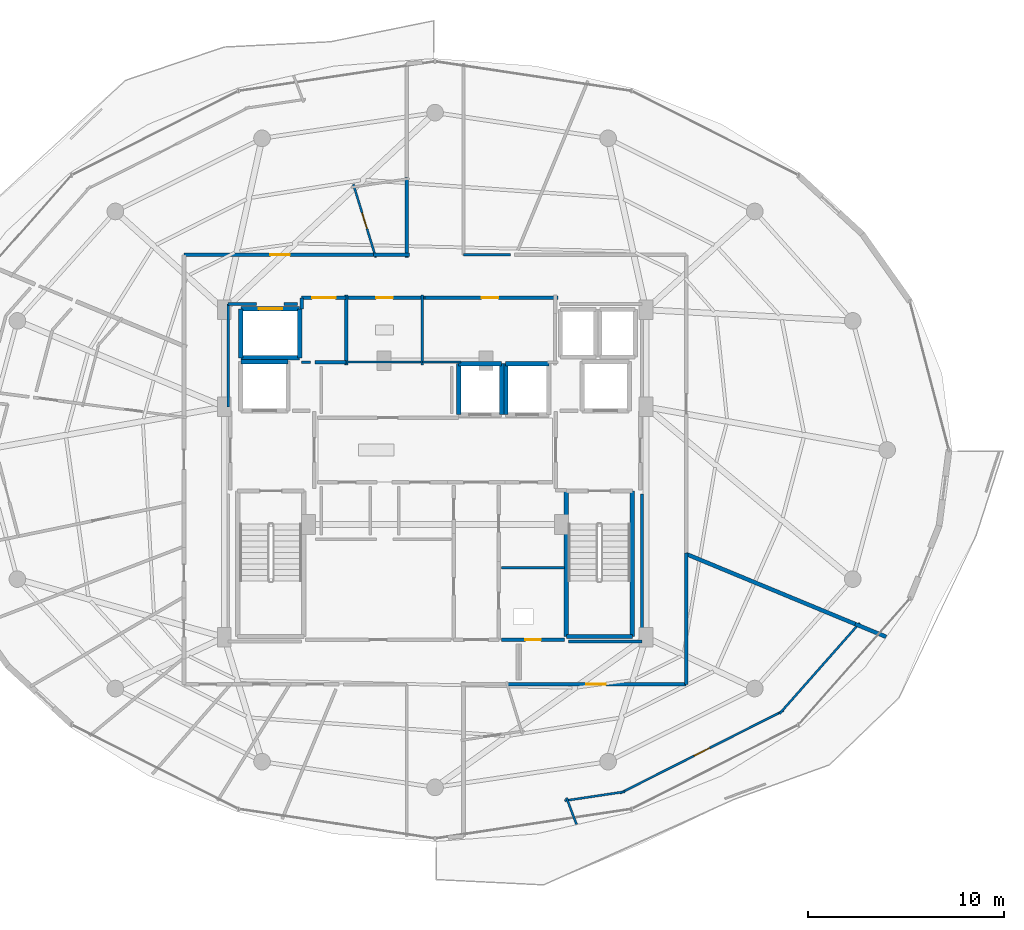
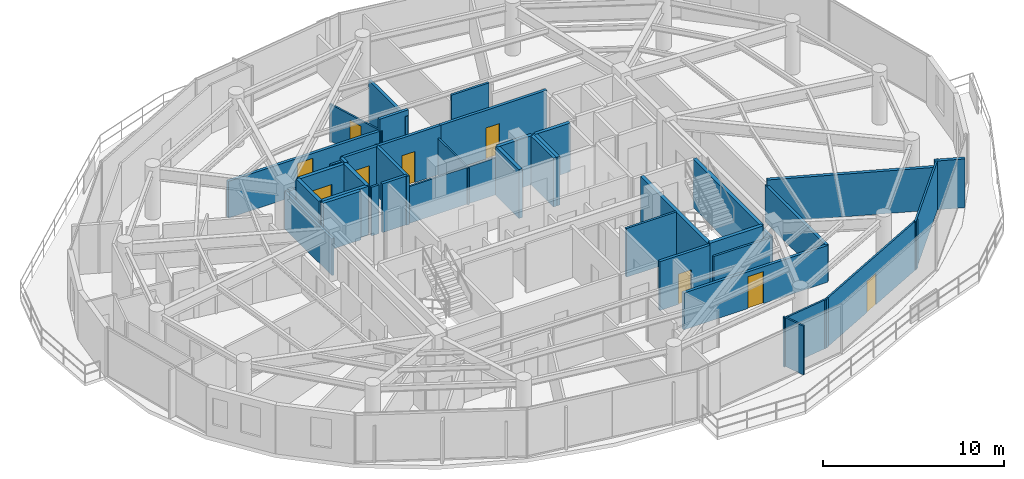
# One storey, part 24 of 30: 43 walls, 9 doors, 9 openings.
"""IFC4 building model written with IfcOpenShell, lengths in metres."""

from ifc_helpers import new_model, si_unit, direction, frame, frame_2d, origin, place, context, subcontext, project, spatial, rectangle, extrude, material, layer, layer_set, type_object, element, fill, save


model = new_model("IFC4")

# Units and contexts
model_context = context("Model", 3, precision=1e-05, world=origin(), true_north=direction((0.0, 1.0)))
body_context = subcontext(model_context, "Body", "Model", "MODEL_VIEW")
ifc_project = project(units=[si_unit("LENGTHUNIT", "METRE"), si_unit("AREAUNIT", "SQUARE_METRE"), si_unit("VOLUMEUNIT", "CUBIC_METRE"), si_unit("PLANEANGLEUNIT", "RADIAN"), si_unit("MASSUNIT", "GRAM", prefix="KILO")], contexts=[model_context])

# Site, building, storey
site_placement = place(None, origin())
site = spatial("IfcSite", under=ifc_project, at=site_placement, CompositionType="ELEMENT")
building_placement = place(site_placement, origin())
building = spatial("IfcBuilding", under=site, at=building_placement, Name="Vorneva Point Tower", CompositionType="ELEMENT")
storey_placement = place(building_placement, frame((0.0, 0.0, 237.800048828125)))
storey = spatial("IfcBuildingStorey", under=building, at=storey_placement, Name="L64", CompositionType="ELEMENT", Elevation=237.800048828125)

# Walls
ifc_material_1 = material(Name="Concrete B60 (C50/60)", Category="concrete")
ifc_layer_1 = layer(ifc_material_1, 0.35009765625)
ifc_layer_set_1 = layer_set([ifc_layer_1], Name="Concrete B60 (C50/60)")
wall_type_1 = type_object("IfcWallType", Name="WL-CORE-350", PredefinedType="SHEAR", material=ifc_layer_set_1)
wall_1_placement = place(storey_placement, frame((30.5, 30.5, 0.0), z_axis=(0.0, 0.0, 1.0), x_axis=(-1.0, 0.0, 0.0)))
element("IfcWall", 1, at=wall_1_placement, inside=storey, type_object=wall_type_1, Name="L64 Lift FFL1 Shaft Wall +Y", PredefinedType="SHEAR", context=body_context, shape_type="SweptSolid", body=[
    extrude(rectangle(XDim=2.39990234375, YDim=0.219970703125, at=frame_2d((1.199951171875, 0.0))), origin(), (0.0, 0.0, 1.0), 3.2900390625),
])
ifc_material_2 = material(Name="Fire-rated acoustic gypsum stud partition", Category="gypsum")
ifc_layer_2 = layer(ifc_material_2, 0.110107421875)
ifc_layer_set_2 = layer_set([ifc_layer_2], Name="Fire-rated acoustic gypsum stud partition")
wall_type_2 = type_object("IfcWallType", Name="WL-PART-110", PredefinedType="PARTITIONING", material=ifc_layer_set_2)
wall_2_placement = place(storey_placement, frame((37.35009765625, 30.340087890625, 0.0), z_axis=(0.0, 0.0, 1.0), x_axis=(0.0, 1.0, 0.0)))
element("IfcWall", 2, at=wall_2_placement, inside=storey, type_object=wall_type_2, Name="L64 Interior Partition 022", PredefinedType="PARTITIONING", context=body_context, shape_type="SweptSolid", body=[
    extrude(rectangle(XDim=3.559814453125, YDim=0.110107421875, at=frame_2d((1.77978515625, 0.0))), origin(), (0.0, 0.0, 1.0), 2.48193359375),
])
wall_3_placement = place(storey_placement, frame((33.360107421875, 30.47998046875, 0.0), z_axis=(0.0, 0.0, 1.0), x_axis=(1.0, 0.0, 0.0)))
element("IfcWall", 3, at=wall_3_placement, inside=storey, type_object=wall_type_2, Name="L64 Interior Partition 023", PredefinedType="PARTITIONING", context=body_context, shape_type="SweptSolid", body=[
    extrude(rectangle(XDim=4.114990234375, YDim=0.110107421875, at=frame_2d((2.0576171875, 0.0))), origin(), (0.0, 0.0, 1.0), 2.48193359375),
])
wall_4_placement = place(storey_placement, frame((37.364990234375, 30.47998046875, 0.0), z_axis=(0.0, 0.0, 1.0), x_axis=(1.0, 0.0, 0.0)))
element("IfcWall", 4, at=wall_4_placement, inside=storey, type_object=wall_type_2, Name="L64 Interior Partition 025", PredefinedType="PARTITIONING", context=body_context, shape_type="SweptSolid", body=[
    extrude(rectangle(XDim=1.955078125, YDim=0.110107421875, at=frame_2d((0.9775390625, 0.0))), origin(), (0.0, 0.0, 1.0), 2.48193359375),
])

# Wall, opening, door
wall_5_placement = place(storey_placement, frame((34.980224609375, 35.816162109375, 0.0), z_axis=(0.0, 0.0, 1.0), x_axis=(-0.29406827714, 0.955784415221, 0.0)))
wall_5 = element("IfcWall", 5, at=wall_5_placement, inside=storey, type_object=wall_type_2, Name="L64 Interior Partition 054", PredefinedType="PARTITIONING", context=body_context, shape_type="SweptSolid", body=[
    extrude(rectangle(XDim=3.9052734375, YDim=0.110107421875, at=frame_2d((1.95263671875, 0.0))), origin(), (0.0, 0.0, 1.0), 2.48193359375),
])
opening_1_placement = place(wall_5_placement, frame((1.527587890625, 0.0, 0.0)))
opening_1 = element("IfcOpeningElement", 6, at=opening_1_placement, cuts=wall_5, Name="Opening ID-02", PredefinedType="OPENING", context=body_context, shape_type="SweptSolid", body=[
    extrude(rectangle(XDim=0.85009765625, YDim=2.10009765625, at=frame_2d((0.425048828125, 1.050048828125))), frame((0.0, 0.06982421875, 0.0), z_axis=(0.0, -1.0, 0.0), x_axis=(1.0, 0.0, 0.0)), (0.0, 0.0, 1.0), 0.139892578125),
])
ifc_material_3 = material(Name="Engineered oak fire-rated door leaf", Category="wood")
door_type_1 = type_object("IfcDoorType", Name="DR-BATH-850", OperationType="NOTDEFINED", PredefinedType="DOOR", material=ifc_material_3)
door_1_placement = place(opening_1_placement, origin())
door_1 = element("IfcDoor", 7, at=door_1_placement, inside=storey, type_object=door_type_1, Name="L64 Door Studio Apartment L64-01 / Bathroom L64-01", OperationType="SINGLE_SWING_RIGHT", OverallHeight=2.10009765625, OverallWidth=0.85009765625, PredefinedType="DOOR", context=body_context, shape_type="SweptSolid", body=[
    extrude(rectangle(XDim=0.85009765625, YDim=2.10009765625, at=frame_2d((0.425048828125, 1.050048828125))), frame((0.0, 0.02490234375, 0.0), z_axis=(0.0, -1.0, 0.0), x_axis=(1.0, 0.0, 0.0)), (0.0, 0.0, 1.0), 0.050048828125),
])
fill(opening_1, door_1)

# Wall
wall_6_placement = place(storey_placement, frame((44.610595703125, 8.1181640625, 0.0), z_axis=(0.0, 0.0, 1.0), x_axis=(0.988858596585, 0.148857905265, 0.0)))
element("IfcWall", 8, at=wall_6_placement, inside=storey, type_object=wall_type_2, Name="L64 Interior Partition 085", PredefinedType="PARTITIONING", context=body_context, shape_type="SweptSolid", body=[
    extrude(rectangle(XDim=3.114501953125, YDim=0.110107421875, at=frame_2d((1.55712890625, 0.0))), origin(), (0.0, 0.0, 1.0), 3.2900390625),
])

# Wall, opening, door
wall_7_placement = place(storey_placement, frame((47.427001953125, 8.497802734375, 0.0), z_axis=(0.0, 0.0, 1.0), x_axis=(0.892502876412, 0.451041700507, 0.0)))
wall_7 = element("IfcWall", 9, at=wall_7_placement, inside=storey, type_object=wall_type_2, Name="L64 Interior Partition 086", PredefinedType="PARTITIONING", context=body_context, shape_type="SweptSolid", body=[
    extrude(rectangle(XDim=9.352294921875, YDim=0.110107421875, at=frame_2d((4.67626953125, 0.0))), origin(), (0.0, 0.0, 1.0), 3.2900390625),
])
opening_2_placement = place(wall_7_placement, frame((4.226318359375, 0.0, 0.0)))
opening_2 = element("IfcOpeningElement", 10, at=opening_2_placement, cuts=wall_7, Name="Opening ID-01", PredefinedType="OPENING", context=body_context, shape_type="SweptSolid", body=[
    extrude(rectangle(XDim=0.89990234375, YDim=2.10009765625, at=frame_2d((0.449951171875, 1.050048828125))), frame((0.0, 0.06982421875, 0.0), z_axis=(0.0, -1.0, 0.0), x_axis=(1.0, 0.0, 0.0)), (0.0, 0.0, 1.0), 0.139892578125),
])
door_type_2 = type_object("IfcDoorType", Name="DR-ROOM-900", OperationType="NOTDEFINED", PredefinedType="DOOR", material=ifc_material_3)
door_2_placement = place(opening_2_placement, origin())
door_2 = element("IfcDoor", 11, at=door_2_placement, inside=storey, type_object=door_type_2, Name="L64 Door Studio Apartment L64-03 / Kitchen L64-03", OperationType="SINGLE_SWING_RIGHT", OverallHeight=2.10009765625, OverallWidth=0.89990234375, PredefinedType="DOOR", context=body_context, shape_type="SweptSolid", body=[
    extrude(rectangle(XDim=0.89990234375, YDim=2.10009765625, at=frame_2d((0.449951171875, 1.050048828125))), frame((0.0, 0.02490234375, 0.0), z_axis=(0.0, -1.0, 0.0), x_axis=(1.0, 0.0, 0.0)), (0.0, 0.0, 1.0), 0.050048828125),
])
fill(opening_2, door_2)

# Walls
wall_8_placement = place(storey_placement, frame((55.556396484375, 12.548095703125, 0.0), z_axis=(0.0, 0.0, 1.0), x_axis=(0.662167862663, 0.749355537549, 0.0)))
element("IfcWall", 12, at=wall_8_placement, inside=storey, type_object=wall_type_2, Name="L64 Interior Partition 087", PredefinedType="PARTITIONING", context=body_context, shape_type="SweptSolid", body=[
    extrude(rectangle(XDim=6.17724609375, YDim=0.110107421875, at=frame_2d((3.088623046875, 0.0))), origin(), (0.0, 0.0, 1.0), 3.2900390625),
])
wall_9_placement = place(storey_placement, frame((45.21337890625, 6.9111328125, 0.0), z_axis=(0.0, 0.0, 1.0), x_axis=(-0.353737146492, 0.935344872863, 0.0)))
element("IfcWall", 13, at=wall_9_placement, inside=storey, type_object=wall_type_2, Name="L64 Interior Partition 088", PredefinedType="PARTITIONING", context=body_context, shape_type="SweptSolid", body=[
    extrude(rectangle(XDim=1.452880859375, YDim=0.110107421875, at=frame_2d((0.7265625, 0.0))), origin(), (0.0, 0.0, 1.0), 3.2900390625),
])
ifc_layer_3 = layer(ifc_material_2, 0.139892578125)
ifc_layer_set_3 = layer_set([ifc_layer_3], Name="Fire-rated acoustic gypsum stud partition")
wall_type_3 = type_object("IfcWallType", Name="WL-PART-140", PredefinedType="PARTITIONING", material=ifc_layer_set_3)
wall_10_placement = place(storey_placement, frame((44.60009765625, 20.0, 0.0), z_axis=(0.0, 0.0, 1.0), x_axis=(-1.0, 0.0, 0.0)))
element("IfcWall", 14, at=wall_10_placement, inside=storey, type_object=wall_type_3, Name="L64 Interior Partition 020", PredefinedType="PARTITIONING", context=body_context, shape_type="SweptSolid", body=[
    extrude(rectangle(XDim=3.2001953125, YDim=0.139892578125, at=frame_2d((1.60009765625, 0.0))), origin(), (0.0, 0.0, 1.0), 3.2900390625),
])
wall_11_placement = place(storey_placement, frame((31.199951171875, 30.47998046875, 0.0), z_axis=(0.0, 0.0, 1.0), x_axis=(1.0, 0.0, 0.0)))
element("IfcWall", 15, at=wall_11_placement, inside=storey, type_object=wall_type_3, Name="L64 Interior Closure Partition 093", PredefinedType="PARTITIONING", context=body_context, shape_type="SweptSolid", body=[
    extrude(rectangle(XDim=0.449951171875, YDim=0.139892578125, at=frame_2d((0.22509765625, 0.0))), origin(), (0.0, 0.0, 1.0), 3.2900390625),
])
wall_12_placement = place(storey_placement, frame((41.841064453125, 35.949951171875, 0.0), z_axis=(0.0, 0.0, 1.0), x_axis=(-1.0, 0.0, 0.0)))
element("IfcWall", 16, at=wall_12_placement, inside=storey, type_object=wall_type_3, Name="L64 Interior Closure Partition 103", PredefinedType="PARTITIONING", context=body_context, shape_type="SweptSolid", body=[
    extrude(rectangle(XDim=2.39111328125, YDim=0.139892578125, at=frame_2d((1.195556640625, 0.0))), origin(), (0.0, 0.0, 1.0), 3.2900390625),
])
wall_13_placement = place(storey_placement, frame((44.804931640625, 16.239990234375, 0.0), z_axis=(0.0, 0.0, 1.0), x_axis=(1.0, 0.0, 0.0)))
element("IfcWall", 17, at=wall_13_placement, inside=storey, type_object=wall_type_3, Name="L64 Interior Closure Partition 106", PredefinedType="PARTITIONING", context=body_context, shape_type="SweptSolid", body=[
    extrude(rectangle(XDim=3.7451171875, YDim=0.139892578125, at=frame_2d((1.87255859375, 0.0))), origin(), (0.0, 0.0, 1.0), 2.48193359375),
])
wall_14_placement = place(storey_placement, frame((48.550048828125, 16.239990234375, 0.0), z_axis=(0.0, 0.0, 1.0), x_axis=(0.0, 1.0, 0.0)))
element("IfcWall", 18, at=wall_14_placement, inside=storey, type_object=wall_type_3, Name="L64 Interior Closure Partition 107", PredefinedType="PARTITIONING", context=body_context, shape_type="SweptSolid", body=[
    extrude(rectangle(XDim=7.513916015625, YDim=0.139892578125, at=frame_2d((3.7568359375, 0.0))), origin(), (0.0, 0.0, 1.0), 2.48193359375),
])
wall_15_placement = place(storey_placement, frame((30.97998046875, 33.449951171875, 0.0), z_axis=(0.0, 0.0, 1.0), x_axis=(-1.0, 0.0, 0.0)))
element("IfcWall", 19, at=wall_15_placement, inside=storey, type_object=wall_type_3, Name="L64 Interior Closure Partition 110", PredefinedType="PARTITIONING", context=body_context, shape_type="SweptSolid", body=[
    extrude(rectangle(XDim=0.674072265625, YDim=0.139892578125, at=frame_2d((0.3369140625, 0.0))), origin(), (0.0, 0.0, 1.0), 3.2900390625),
])
wall_16_placement = place(storey_placement, frame((28.89404296875, 33.449951171875, 0.0), z_axis=(0.0, 0.0, 1.0), x_axis=(-1.0, 0.0, 0.0)))
element("IfcWall", 20, at=wall_16_placement, inside=storey, type_object=wall_type_3, Name="L64 Interior Closure Partition 111", PredefinedType="PARTITIONING", context=body_context, shape_type="SweptSolid", body=[
    extrude(rectangle(XDim=1.444091796875, YDim=0.139892578125, at=frame_2d((0.72216796875, 0.0))), origin(), (0.0, 0.0, 1.0), 2.48193359375),
])
wall_17_placement = place(storey_placement, frame((27.449951171875, 33.449951171875, 0.0), z_axis=(0.0, 0.0, 1.0), x_axis=(0.0, -1.0, 0.0)))
element("IfcWall", 21, at=wall_17_placement, inside=storey, type_object=wall_type_3, Name="L64 Interior Closure Partition 112", PredefinedType="PARTITIONING", context=body_context, shape_type="SweptSolid", body=[
    extrude(rectangle(XDim=5.25390625, YDim=0.139892578125, at=frame_2d((2.626953125, 0.0))), origin(), (0.0, 0.0, 1.0), 2.48193359375),
])
ifc_material_4 = material(Name="Autoclaved aerated concrete blockwork", Category="masonry")
ifc_layer_4 = layer(ifc_material_4, 0.179931640625)
ifc_layer_set_4 = layer_set([ifc_layer_4], Name="Autoclaved aerated concrete blockwork")
wall_type_4 = type_object("IfcWallType", Name="WL-PART-180", PredefinedType="PARTITIONING", material=ifc_layer_set_4)
wall_18_placement = place(storey_placement, frame((33.469970703125, 30.340087890625, 0.0), z_axis=(0.0, 0.0, 1.0), x_axis=(0.0, 1.0, 0.0)))
element("IfcWall", 22, at=wall_18_placement, inside=storey, type_object=wall_type_4, Name="L64 Interior Partition 006", PredefinedType="PARTITIONING", context=body_context, shape_type="SweptSolid", body=[
    extrude(rectangle(XDim=3.559814453125, YDim=0.179931640625, at=frame_2d((1.77978515625, 0.0))), origin(), (0.0, 0.0, 1.0), 3.2900390625),
])
wall_19_placement = place(storey_placement, frame((31.8701171875, 30.47998046875, 0.0), z_axis=(0.0, 0.0, 1.0), x_axis=(1.0, 0.0, 0.0)))
element("IfcWall", 23, at=wall_19_placement, inside=storey, type_object=wall_type_4, Name="L64 Interior Partition 007", PredefinedType="PARTITIONING", context=body_context, shape_type="SweptSolid", body=[
    extrude(rectangle(XDim=1.599853515625, YDim=0.179931640625, at=frame_2d((0.7998046875, 0.0))), origin(), (0.0, 0.0, 1.0), 3.2900390625),
])

# Wall, opening, door
wall_20_placement = place(storey_placement, frame((33.469970703125, 33.760009765625, 0.0), z_axis=(0.0, 0.0, 1.0), x_axis=(-1.0, 0.0, 0.0)))
wall_20 = element("IfcWall", 24, at=wall_20_placement, inside=storey, type_object=wall_type_4, Name="L64 Interior Partition 008", PredefinedType="PARTITIONING", context=body_context, shape_type="SweptSolid", body=[
    extrude(rectangle(XDim=2.27001953125, YDim=0.179931640625, at=frame_2d((1.135009765625, 0.0))), origin(), (0.0, 0.0, 1.0), 3.2900390625),
])
opening_3_placement = place(wall_20_placement, frame((0.534912109375, 0.0, 0.0)))
opening_3 = element("IfcOpeningElement", 25, at=opening_3_placement, cuts=wall_20, Name="Opening FD-02", PredefinedType="OPENING", context=body_context, shape_type="SweptSolid", body=[
    extrude(rectangle(XDim=1.199951171875, YDim=2.14990234375, at=frame_2d((0.60009765625, 1.074951171875))), frame((0.0, 0.10498046875, 0.0), z_axis=(0.0, -1.0, 0.0), x_axis=(1.0, 0.0, 0.0)), (0.0, 0.0, 1.0), 0.209716796875),
])
ifc_material_5 = material(Name="Fire-rated powder-coated steel", Category="steel")
door_type_3 = type_object("IfcDoorType", Name="DR-FFL-1200", OperationType="NOTDEFINED", PredefinedType="DOOR", material=ifc_material_5)
door_3_placement = place(opening_3_placement, origin())
door_3 = element("IfcDoor", 26, at=door_3_placement, inside=storey, type_object=door_type_3, Name="L64 Door Service Lift Lobby / L64 Circulation Corridor", OperationType="SINGLE_SWING_LEFT", OverallHeight=2.14990234375, OverallWidth=1.199951171875, PredefinedType="DOOR", context=body_context, shape_type="SweptSolid", body=[
    extrude(rectangle(XDim=1.199951171875, YDim=2.14990234375, at=frame_2d((0.60009765625, 1.074951171875))), frame((0.0, 0.02490234375, 0.0), z_axis=(0.0, -1.0, 0.0), x_axis=(1.0, 0.0, 0.0)), (0.0, 0.0, 1.0), 0.050048828125),
])
fill(opening_3, door_3)

# Wall
wall_21_placement = place(storey_placement, frame((31.199951171875, 33.760009765625, 0.0), z_axis=(0.0, 0.0, 1.0), x_axis=(0.0, -1.0, 0.0)))
element("IfcWall", 27, at=wall_21_placement, inside=storey, type_object=wall_type_4, Name="L64 Interior Partition 009", PredefinedType="PARTITIONING", context=body_context, shape_type="SweptSolid", body=[
    extrude(rectangle(XDim=0.56005859375, YDim=0.179931640625, at=frame_2d((0.280029296875, 0.0))), origin(), (0.0, 0.0, 1.0), 3.2900390625),
])

# Wall, opening, door
wall_22_placement = place(storey_placement, frame((41.39990234375, 16.320068359375, 0.0), z_axis=(0.0, 0.0, 1.0), x_axis=(1.0, 0.0, 0.0)))
wall_22 = element("IfcWall", 28, at=wall_22_placement, inside=storey, type_object=wall_type_4, Name="L64 Interior Partition 021", PredefinedType="PARTITIONING", context=body_context, shape_type="SweptSolid", body=[
    extrude(rectangle(XDim=3.2001953125, YDim=0.179931640625, at=frame_2d((1.60009765625, 0.0))), origin(), (0.0, 0.0, 1.0), 3.2900390625),
])
opening_4_placement = place(wall_22_placement, frame((1.199951171875, 0.0, 0.0)))
opening_4 = element("IfcOpeningElement", 29, at=opening_4_placement, cuts=wall_22, Name="Opening RD-01", PredefinedType="OPENING", context=body_context, shape_type="SweptSolid", body=[
    extrude(rectangle(XDim=0.800048828125, YDim=2.050048828125, at=frame_2d((0.39990234375, 1.02490234375))), frame((0.0, 0.10498046875, 0.0), z_axis=(0.0, -1.0, 0.0), x_axis=(1.0, 0.0, 0.0)), (0.0, 0.0, 1.0), 0.209716796875),
])
door_type_4 = type_object("IfcDoorType", Name="DR-RSR-800", OperationType="SINGLE_SWING_LEFT", PredefinedType="DOOR", material=ifc_material_5)
door_4_placement = place(opening_4_placement, origin())
door_4 = element("IfcDoor", 30, at=door_4_placement, inside=storey, type_object=door_type_4, Name="L64 Door Electrical Riser / L64 Circulation Corridor", OperationType="SINGLE_SWING_RIGHT", OverallHeight=2.050048828125, OverallWidth=0.800048828125, PredefinedType="DOOR", context=body_context, shape_type="SweptSolid", body=[
    extrude(rectangle(XDim=0.800048828125, YDim=2.050048828125, at=frame_2d((0.39990234375, 1.02490234375))), frame((0.0, 0.02490234375, 0.0), z_axis=(0.0, -1.0, 0.0), x_axis=(1.0, 0.0, 0.0)), (0.0, 0.0, 1.0), 0.050048828125),
])
fill(opening_4, door_4)

wall_23_placement = place(storey_placement, frame((37.489990234375, 33.760009765625, 0.0), z_axis=(0.0, 0.0, 1.0), x_axis=(-1.0, 0.0, 0.0)))
wall_23 = element("IfcWall", 31, at=wall_23_placement, inside=storey, type_object=wall_type_4, Name="L64 Interior Partition 024", PredefinedType="PARTITIONING", context=body_context, shape_type="SweptSolid", body=[
    extrude(rectangle(XDim=4.1298828125, YDim=0.179931640625, at=frame_2d((2.06494140625, 0.0))), origin(), (0.0, 0.0, 1.0), 3.2900390625),
])
opening_5_placement = place(wall_23_placement, frame((1.639892578125, 0.0, 0.0)))
opening_5 = element("IfcOpeningElement", 32, at=opening_5_placement, cuts=wall_23, Name="Opening ID-02", PredefinedType="OPENING", context=body_context, shape_type="SweptSolid", body=[
    extrude(rectangle(XDim=0.85009765625, YDim=2.10009765625, at=frame_2d((0.425048828125, 1.050048828125))), frame((0.0, 0.10498046875, 0.0), z_axis=(0.0, -1.0, 0.0), x_axis=(1.0, 0.0, 0.0)), (0.0, 0.0, 1.0), 0.209716796875),
])
door_5_placement = place(opening_5_placement, origin())
door_5 = element("IfcDoor", 33, at=door_5_placement, inside=storey, type_object=door_type_1, Name="L64 Door Accessible WC / L64 Circulation Corridor", OperationType="SINGLE_SWING_LEFT", OverallHeight=2.10009765625, OverallWidth=0.85009765625, PredefinedType="DOOR", context=body_context, shape_type="SweptSolid", body=[
    extrude(rectangle(XDim=0.85009765625, YDim=2.10009765625, at=frame_2d((0.425048828125, 1.050048828125))), frame((0.0, 0.02490234375, 0.0), z_axis=(0.0, -1.0, 0.0), x_axis=(1.0, 0.0, 0.0)), (0.0, 0.0, 1.0), 0.050048828125),
])
fill(opening_5, door_5)

wall_24_placement = place(storey_placement, frame((44.260009765625, 33.760009765625, 0.0), z_axis=(0.0, 0.0, 1.0), x_axis=(-1.0, 0.0, 0.0)))
wall_24 = element("IfcWall", 34, at=wall_24_placement, inside=storey, type_object=wall_type_4, Name="L64 Interior Partition 026", PredefinedType="PARTITIONING", context=body_context, shape_type="SweptSolid", body=[
    extrude(rectangle(XDim=6.909912109375, YDim=0.179931640625, at=frame_2d((3.455078125, 0.0))), origin(), (0.0, 0.0, 1.0), 3.2900390625),
])
opening_6_placement = place(wall_24_placement, frame((3.030029296875, 0.0, 0.0)))
opening_6 = element("IfcOpeningElement", 35, at=opening_6_placement, cuts=wall_24, Name="Opening ID-02", PredefinedType="OPENING", context=body_context, shape_type="SweptSolid", body=[
    extrude(rectangle(XDim=0.85009765625, YDim=2.10009765625, at=frame_2d((0.425048828125, 1.050048828125))), frame((0.0, 0.10498046875, 0.0), z_axis=(0.0, -1.0, 0.0), x_axis=(1.0, 0.0, 0.0)), (0.0, 0.0, 1.0), 0.209716796875),
])
door_6_placement = place(opening_6_placement, origin())
door_6 = element("IfcDoor", 36, at=door_6_placement, inside=storey, type_object=door_type_1, Name="L64 Door Public Restroom / L64 Circulation Corridor", OperationType="SINGLE_SWING_RIGHT", OverallHeight=2.10009765625, OverallWidth=0.85009765625, PredefinedType="DOOR", context=body_context, shape_type="SweptSolid", body=[
    extrude(rectangle(XDim=0.85009765625, YDim=2.10009765625, at=frame_2d((0.425048828125, 1.050048828125))), frame((0.0, 0.02490234375, 0.0), z_axis=(0.0, -1.0, 0.0), x_axis=(1.0, 0.0, 0.0)), (0.0, 0.0, 1.0), 0.050048828125),
])
fill(opening_6, door_6)

wall_25_placement = place(storey_placement, frame((34.9990234375, 35.949951171875, 0.0), z_axis=(0.0, 0.0, 1.0), x_axis=(-1.0, 0.0, 0.0)))
wall_25 = element("IfcWall", 37, at=wall_25_placement, inside=storey, type_object=wall_type_4, Name="L64 Interior Partition 033", PredefinedType="PARTITIONING", context=body_context, shape_type="SweptSolid", body=[
    extrude(rectangle(XDim=9.799072265625, YDim=0.179931640625, at=frame_2d((4.8994140625, 0.0))), origin(), (0.0, 0.0, 1.0), 2.48193359375),
])
opening_7_placement = place(wall_25_placement, frame((4.3994140625, 0.0, 0.0)))
opening_7 = element("IfcOpeningElement", 38, at=opening_7_placement, cuts=wall_25, Name="Opening UD-01", PredefinedType="OPENING", context=body_context, shape_type="SweptSolid", body=[
    extrude(rectangle(XDim=1.0, YDim=2.14990234375, at=frame_2d((0.5, 1.074951171875))), frame((0.0, 0.10498046875, 0.0), z_axis=(0.0, -1.0, 0.0), x_axis=(1.0, 0.0, 0.0)), (0.0, 0.0, 1.0), 0.209716796875),
])
door_type_5 = type_object("IfcDoorType", Name="DR-UNIT-1000", OperationType="NOTDEFINED", PredefinedType="DOOR", material=ifc_material_3)
door_7_placement = place(opening_7_placement, origin())
door_7 = element("IfcDoor", 39, at=door_7_placement, inside=storey, type_object=door_type_5, Name="L64 Door L64 Circulation Corridor / Studio Apartment L64-01", OperationType="SINGLE_SWING_RIGHT", OverallHeight=2.14990234375, OverallWidth=1.0, PredefinedType="DOOR", context=body_context, shape_type="SweptSolid", body=[
    extrude(rectangle(XDim=1.0, YDim=2.14990234375, at=frame_2d((0.5, 1.074951171875))), frame((0.0, 0.02490234375, 0.0), z_axis=(0.0, -1.0, 0.0), x_axis=(1.0, 0.0, 0.0)), (0.0, 0.0, 1.0), 0.050048828125),
])
fill(opening_7, door_7)

# Walls
wall_26_placement = place(storey_placement, frame((36.550048828125, 39.89697265625, 0.0), z_axis=(0.0, 0.0, 1.0), x_axis=(0.0, -1.0, 0.0)))
element("IfcWall", 40, at=wall_26_placement, inside=storey, type_object=wall_type_4, Name="L64 Interior Partition 035", PredefinedType="PARTITIONING", context=body_context, shape_type="SweptSolid", body=[
    extrude(rectangle(XDim=4.0869140625, YDim=0.179931640625, at=frame_2d((2.04345703125, 0.0))), origin(), (0.0, 0.0, 1.0), 2.924072265625),
])
wall_27_placement = place(storey_placement, frame((36.68994140625, 35.949951171875, 0.0), z_axis=(0.0, 0.0, 1.0), x_axis=(-1.0, 0.0, 0.0)))
element("IfcWall", 41, at=wall_27_placement, inside=storey, type_object=wall_type_4, Name="L64 Interior Partition 036", PredefinedType="PARTITIONING", context=body_context, shape_type="SweptSolid", body=[
    extrude(rectangle(XDim=1.8310546875, YDim=0.179931640625, at=frame_2d((0.91552734375, 0.0))), origin(), (0.0, 0.0, 1.0), 3.2900390625),
])

# Wall, opening, door
wall_28_placement = place(storey_placement, frame((41.615966796875, 14.050048828125, 0.0), z_axis=(0.0, 0.0, 1.0), x_axis=(1.0, 0.0, 0.0)))
wall_28 = element("IfcWall", 42, at=wall_28_placement, inside=storey, type_object=wall_type_4, Name="L64 Interior Partition 048", PredefinedType="PARTITIONING", context=body_context, shape_type="SweptSolid", body=[
    extrude(rectangle(XDim=9.18408203125, YDim=0.179931640625, at=frame_2d((4.592041015625, 0.0))), origin(), (0.0, 0.0, 1.0), 2.48193359375),
])
opening_8_placement = place(wall_28_placement, frame((4.092041015625, 0.0, 0.0)))
opening_8 = element("IfcOpeningElement", 43, at=opening_8_placement, cuts=wall_28, Name="Opening UD-01", PredefinedType="OPENING", context=body_context, shape_type="SweptSolid", body=[
    extrude(rectangle(XDim=1.0, YDim=2.14990234375, at=frame_2d((0.5, 1.074951171875))), frame((0.0, 0.10498046875, 0.0), z_axis=(0.0, -1.0, 0.0), x_axis=(1.0, 0.0, 0.0)), (0.0, 0.0, 1.0), 0.209716796875),
])
door_8_placement = place(opening_8_placement, origin())
door_8 = element("IfcDoor", 44, at=door_8_placement, inside=storey, type_object=door_type_5, Name="L64 Door L64 Circulation Corridor / Studio Apartment L64-03", OperationType="SINGLE_SWING_RIGHT", OverallHeight=2.14990234375, OverallWidth=1.0, PredefinedType="DOOR", context=body_context, shape_type="SweptSolid", body=[
    extrude(rectangle(XDim=1.0, YDim=2.14990234375, at=frame_2d((0.5, 1.074951171875))), frame((0.0, 0.02490234375, 0.0), z_axis=(0.0, -1.0, 0.0), x_axis=(1.0, 0.0, 0.0)), (0.0, 0.0, 1.0), 0.050048828125),
])
fill(opening_8, door_8)

# Walls
wall_29_placement = place(storey_placement, frame((50.800048828125, 14.050048828125, 0.0), z_axis=(0.0, 0.0, 1.0), x_axis=(0.0, 1.0, 0.0)))
element("IfcWall", 45, at=wall_29_placement, inside=storey, type_object=wall_type_4, Name="L64 Interior Partition 049", PredefinedType="PARTITIONING", context=body_context, shape_type="SweptSolid", body=[
    extrude(rectangle(XDim=6.7080078125, YDim=0.179931640625, at=frame_2d((3.35400390625, 0.0))), origin(), (0.0, 0.0, 1.0), 2.48193359375),
])
ifc_layer_5 = layer(ifc_material_4, 0.199951171875)
ifc_layer_set_5 = layer_set([ifc_layer_5], Name="Autoclaved aerated concrete blockwork")
wall_type_5 = type_object("IfcWallType", Name="WL-PART-200", PredefinedType="PARTITIONING", material=ifc_layer_set_5)
wall_30_placement = place(storey_placement, frame((59.553955078125, 17.072021484375, 0.0), z_axis=(0.0, 0.0, 1.0), x_axis=(-0.923879910499, 0.382682519822, 0.0)))
element("IfcWall", 46, at=wall_30_placement, inside=storey, type_object=wall_type_5, Name="L64 Interior Partition 089", PredefinedType="PARTITIONING", context=body_context, shape_type="SweptSolid", body=[
    extrude(rectangle(XDim=9.47509765625, YDim=0.199951171875, at=frame_2d((4.737548828125, 0.0))), origin(), (0.0, 0.0, 1.0), 2.8740234375),
])
wall_31_placement = place(storey_placement, frame((60.996337890625, 16.474365234375, 0.0), z_axis=(0.0, 0.0, 1.0), x_axis=(-0.923843638485, 0.382770076719, 0.0)))
element("IfcWall", 47, at=wall_31_placement, inside=storey, type_object=wall_type_5, Name="L64 Interior Partition 090", PredefinedType="PARTITIONING", context=body_context, shape_type="SweptSolid", body=[
    extrude(rectangle(XDim=1.701171875, YDim=0.199951171875, at=frame_2d((0.8505859375, 0.0))), origin(), (0.0, 0.0, 1.0), 3.2900390625),
])
ifc_material_6 = material(Name="Concrete B50 (C40/50)", Category="concrete")
ifc_layer_6 = layer(ifc_material_6, 0.219970703125)
ifc_layer_set_6 = layer_set([ifc_layer_6], Name="Concrete B50 (C40/50)")
wall_type_6 = type_object("IfcWallType", Name="WL-SHFT-220", PredefinedType="SOLIDWALL", material=ifc_layer_set_6)
wall_32_placement = place(storey_placement, frame((48.06005859375, 23.909912109375, 0.0), z_axis=(0.0, 0.0, 1.0), x_axis=(0.0, -1.0, 0.0)))
element("IfcWall", 48, at=wall_32_placement, inside=storey, type_object=wall_type_6, Name="L64 Exit Stair ST2 Shaft Wall right", PredefinedType="SOLIDWALL", context=body_context, shape_type="SweptSolid", body=[
    extrude(rectangle(XDim=7.419921875, YDim=0.219970703125, at=frame_2d((3.7099609375, 0.0))), origin(), (0.0, 0.0, 1.0), 3.2900390625),
])
wall_33_placement = place(storey_placement, frame((48.06005859375, 16.489990234375, 0.0), z_axis=(0.0, 0.0, 1.0), x_axis=(-1.0, 0.0, 0.0)))
element("IfcWall", 49, at=wall_33_placement, inside=storey, type_object=wall_type_6, Name="L64 Exit Stair ST2 Shaft Wall far", PredefinedType="SOLIDWALL", context=body_context, shape_type="SweptSolid", body=[
    extrude(rectangle(XDim=3.3701171875, YDim=0.219970703125, at=frame_2d((1.68505859375, 0.0))), origin(), (0.0, 0.0, 1.0), 3.2900390625),
])
wall_34_placement = place(storey_placement, frame((44.68994140625, 16.489990234375, 0.0), z_axis=(0.0, 0.0, 1.0), x_axis=(0.0, 1.0, 0.0)))
element("IfcWall", 50, at=wall_34_placement, inside=storey, type_object=wall_type_6, Name="L64 Exit Stair ST2 Shaft Wall left", PredefinedType="SOLIDWALL", context=body_context, shape_type="SweptSolid", body=[
    extrude(rectangle(XDim=7.419921875, YDim=0.219970703125, at=frame_2d((3.7099609375, 0.0))), origin(), (0.0, 0.0, 1.0), 3.2900390625),
])
wall_35_placement = place(storey_placement, frame((41.39990234375, 27.800048828125, 0.0), z_axis=(0.0, 0.0, 1.0), x_axis=(0.0, 1.0, 0.0)))
element("IfcWall", 51, at=wall_35_placement, inside=storey, type_object=wall_type_6, Name="L64 Lift PL7 Shaft Wall +X", PredefinedType="SOLIDWALL", context=body_context, shape_type="SweptSolid", body=[
    extrude(rectangle(XDim=2.599853515625, YDim=0.219970703125, at=frame_2d((1.2998046875, 0.0))), origin(), (0.0, 0.0, 1.0), 3.2900390625),
])
wall_36_placement = place(storey_placement, frame((41.39990234375, 30.39990234375, 0.0), z_axis=(0.0, 0.0, 1.0), x_axis=(-1.0, 0.0, 0.0)))
element("IfcWall", 52, at=wall_36_placement, inside=storey, type_object=wall_type_6, Name="L64 Lift PL7 Shaft Wall +Y", PredefinedType="SOLIDWALL", context=body_context, shape_type="SweptSolid", body=[
    extrude(rectangle(XDim=2.199951171875, YDim=0.219970703125, at=frame_2d((1.10009765625, 0.0))), origin(), (0.0, 0.0, 1.0), 3.2900390625),
])
wall_37_placement = place(storey_placement, frame((39.199951171875, 30.39990234375, 0.0), z_axis=(0.0, 0.0, 1.0), x_axis=(0.0, -1.0, 0.0)))
element("IfcWall", 53, at=wall_37_placement, inside=storey, type_object=wall_type_6, Name="L64 Lift PL7 Shaft Wall -X", PredefinedType="SOLIDWALL", context=body_context, shape_type="SweptSolid", body=[
    extrude(rectangle(XDim=2.599853515625, YDim=0.219970703125, at=frame_2d((1.2998046875, 0.0))), origin(), (0.0, 0.0, 1.0), 3.2900390625),
])
wall_38_placement = place(storey_placement, frame((43.800048828125, 30.39990234375, 0.0), z_axis=(0.0, 0.0, 1.0), x_axis=(-1.0, 0.0, 0.0)))
element("IfcWall", 54, at=wall_38_placement, inside=storey, type_object=wall_type_6, Name="L64 Lift PL8 Shaft Wall +Y", PredefinedType="SOLIDWALL", context=body_context, shape_type="SweptSolid", body=[
    extrude(rectangle(XDim=2.199951171875, YDim=0.219970703125, at=frame_2d((1.10009765625, 0.0))), origin(), (0.0, 0.0, 1.0), 3.2900390625),
])
wall_39_placement = place(storey_placement, frame((41.60009765625, 30.39990234375, 0.0), z_axis=(0.0, 0.0, 1.0), x_axis=(0.0, -1.0, 0.0)))
element("IfcWall", 55, at=wall_39_placement, inside=storey, type_object=wall_type_6, Name="L64 Lift PL8 Shaft Wall -X", PredefinedType="SOLIDWALL", context=body_context, shape_type="SweptSolid", body=[
    extrude(rectangle(XDim=2.599853515625, YDim=0.219970703125, at=frame_2d((1.2998046875, 0.0))), origin(), (0.0, 0.0, 1.0), 3.2900390625),
])
wall_40_placement = place(storey_placement, frame((28.10009765625, 30.699951171875, 0.0), z_axis=(0.0, 0.0, 1.0), x_axis=(1.0, 0.0, 0.0)))
element("IfcWall", 56, at=wall_40_placement, inside=storey, type_object=wall_type_6, Name="L64 Lift SVL1 Shaft Wall -Y", PredefinedType="SOLIDWALL", context=body_context, shape_type="SweptSolid", body=[
    extrude(rectangle(XDim=3.0, YDim=0.219970703125, at=frame_2d((1.5, 0.0))), origin(), (0.0, 0.0, 1.0), 3.2900390625),
])
wall_41_placement = place(storey_placement, frame((31.10009765625, 30.699951171875, 0.0), z_axis=(0.0, 0.0, 1.0), x_axis=(0.0, 1.0, 0.0)))
element("IfcWall", 57, at=wall_41_placement, inside=storey, type_object=wall_type_6, Name="L64 Lift SVL1 Shaft Wall +X", PredefinedType="SOLIDWALL", context=body_context, shape_type="SweptSolid", body=[
    extrude(rectangle(XDim=2.5, YDim=0.219970703125, at=frame_2d((1.25, 0.0))), origin(), (0.0, 0.0, 1.0), 3.2900390625),
])

# Wall, opening, door
wall_42_placement = place(storey_placement, frame((31.10009765625, 33.199951171875, 0.0), z_axis=(0.0, 0.0, 1.0), x_axis=(-1.0, 0.0, 0.0)))
wall_42 = element("IfcWall", 58, at=wall_42_placement, inside=storey, type_object=wall_type_6, Name="L64 Lift SVL1 Shaft Wall +Y", PredefinedType="SOLIDWALL", context=body_context, shape_type="SweptSolid", body=[
    extrude(rectangle(XDim=3.0, YDim=0.219970703125, at=frame_2d((1.5, 0.0))), origin(), (0.0, 0.0, 1.0), 3.2900390625),
])
opening_9_placement = place(wall_42_placement, frame((0.89990234375, 0.0, 0.0)))
opening_9 = element("IfcOpeningElement", 59, at=opening_9_placement, cuts=wall_42, Name="Opening LD-02", PredefinedType="OPENING", context=body_context, shape_type="SweptSolid", body=[
    extrude(rectangle(XDim=1.199951171875, YDim=2.199951171875, at=frame_2d((0.60009765625, 1.10009765625))), frame((0.0, 0.125, 0.0), z_axis=(0.0, -1.0, 0.0), x_axis=(1.0, 0.0, 0.0)), (0.0, 0.0, 1.0), 0.249755859375),
])
ifc_material_7 = material(Name="Brushed stainless steel S304", Category="steel")
door_type_6 = type_object("IfcDoorType", Name="LD-FIRE-1200", OperationType="SLIDING_TO_LEFT", PredefinedType="DOOR", material=ifc_material_7)
door_9_placement = place(opening_9_placement, origin())
door_9 = element("IfcDoor", 60, at=door_9_placement, inside=storey, type_object=door_type_6, Name="L64 Lift SVL1 Sliding Landing Door", OperationType="SLIDING_TO_LEFT", OverallHeight=2.199951171875, OverallWidth=1.199951171875, PredefinedType="DOOR", context=body_context, shape_type="SweptSolid", body=[
    extrude(rectangle(XDim=1.199951171875, YDim=2.199951171875, at=frame_2d((0.60009765625, 1.10009765625))), frame((0.0, 0.02490234375, 0.0), z_axis=(0.0, -1.0, 0.0), x_axis=(1.0, 0.0, 0.0)), (0.0, 0.0, 1.0), 0.050048828125),
])
fill(opening_9, door_9)

# Wall
wall_43_placement = place(storey_placement, frame((28.10009765625, 33.199951171875, 0.0), z_axis=(0.0, 0.0, 1.0), x_axis=(0.0, -1.0, 0.0)))
element("IfcWall", 61, at=wall_43_placement, inside=storey, type_object=wall_type_6, Name="L64 Lift SVL1 Shaft Wall -X", PredefinedType="SOLIDWALL", context=body_context, shape_type="SweptSolid", body=[
    extrude(rectangle(XDim=2.5, YDim=0.219970703125, at=frame_2d((1.25, 0.0))), origin(), (0.0, 0.0, 1.0), 3.2900390625),
])

save(model, "model.ifc")
